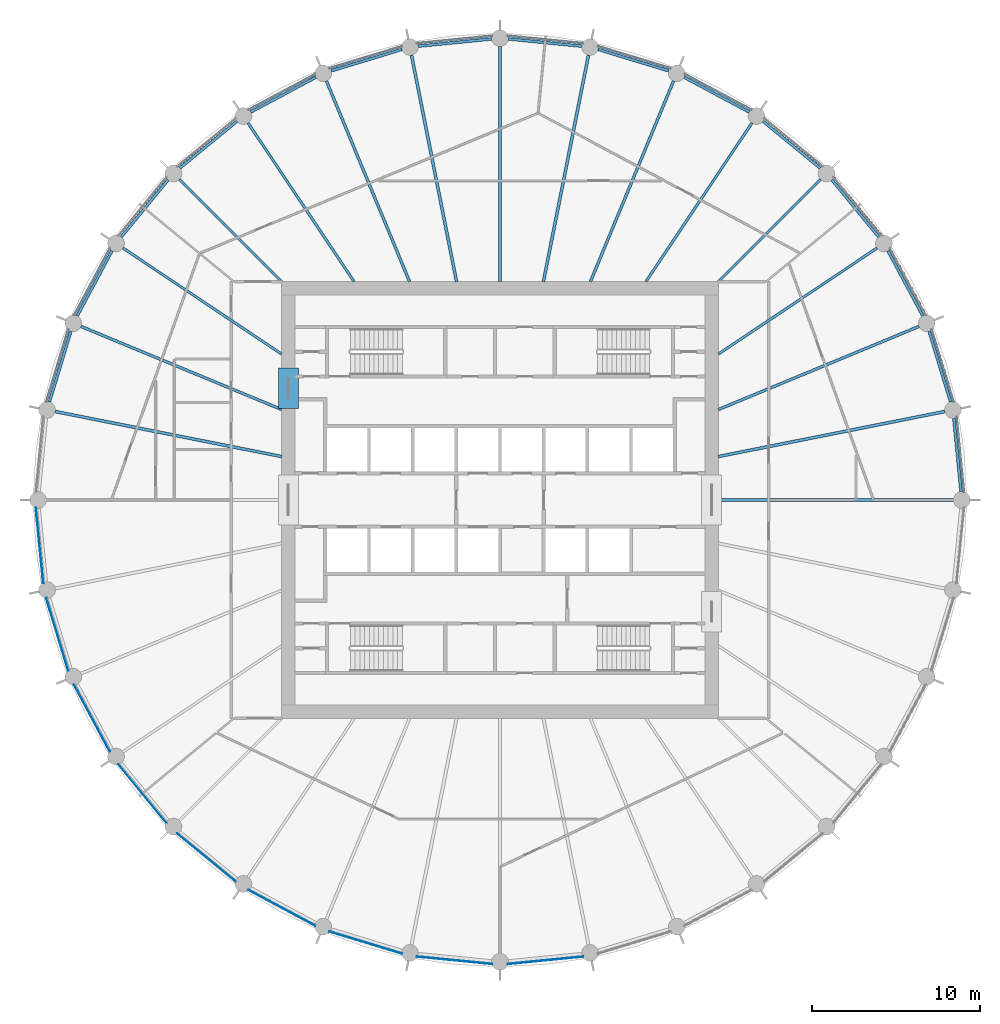
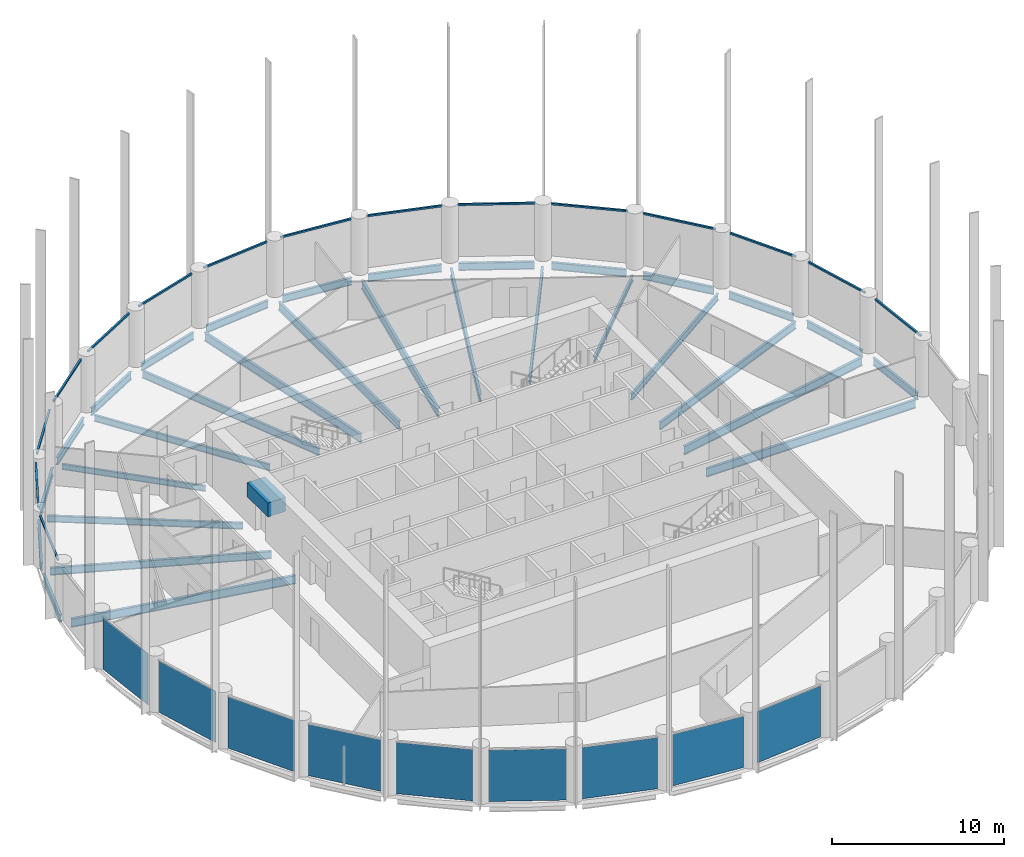
# One storey, part 2 of 8: 32 beams, 15 members, 9 plates, 24 elements without a shape of their own.
"""IFC4 building model written with IfcOpenShell, lengths in metres."""

from ifc_helpers import new_model, si_unit, direction, frame, origin, origin_2d, place, context, subcontext, project, spatial, rectangle, i_section, extrude, material, layer, layer_set, material_profile, profile_set, type_object, element, aggregate, save


model = new_model("IFC4")

# Units and contexts
model_context = context("Model", 3, precision=1e-05, world=origin(), true_north=direction((0.0, 1.0)))
body_context = subcontext(model_context, "Body", "Model", "MODEL_VIEW")
ifc_project = project(units=[si_unit("LENGTHUNIT", "METRE"), si_unit("AREAUNIT", "SQUARE_METRE"), si_unit("VOLUMEUNIT", "CUBIC_METRE"), si_unit("PLANEANGLEUNIT", "RADIAN"), si_unit("MASSUNIT", "GRAM", prefix="KILO")], contexts=[model_context])

# Site, building, storey
site_placement = place(None, origin())
site = spatial("IfcSite", under=ifc_project, at=site_placement, CompositionType="ELEMENT")
building_placement = place(site_placement, origin())
building = spatial("IfcBuilding", under=site, at=building_placement, Name="Corvane Civic Tower", CompositionType="ELEMENT")
storey_placement = place(building_placement, frame((0.0, 0.0, 233.5)))
storey = spatial("IfcBuildingStorey", under=building, at=storey_placement, Name="L55", CompositionType="ELEMENT", Elevation=233.5)

# Beams
ifc_material_1 = material(Name="Concrete C50/60", Category="concrete")
ifc_material_profile_1 = material_profile(ifc_material_1, rectangle(XDim=1.199951171875, YDim=1.0, at=origin_2d()), Name="COUPLING BEAM 1200X1000")
ifc_profile_set_1 = profile_set([ifc_material_profile_1], Name="Concrete C50/60")
beam_type_1 = type_object("IfcBeamType", Name="COUPLING BEAM COUPLING BEAM 1200X1000", PredefinedType="BEAM", material=ifc_profile_set_1)
beam_1_placement = place(storey_placement, frame((-12.60009765625, 5.449951171875, 2.60009765625), z_axis=(0.0, 1.0, 0.0), x_axis=(-1.0, 0.0, 0.0)))
element("IfcBeam", 1, at=beam_1_placement, inside=storey, type_object=beam_type_1, Name="BM-L55-cpl-CW-WN", PredefinedType="BEAM", context=body_context, shape_type="SweptSolid", body=[
    extrude(rectangle(XDim=1.199951171875, YDim=1.0, at=origin_2d()), origin(), (0.0, 0.0, 1.0), 2.400146484375),
])
ifc_material_2 = material(Name="Steel ASTM A992 Gr 50", Category="steel")
ifc_material_profile_2 = material_profile(ifc_material_2, i_section(OverallWidth=0.165771484375, OverallDepth=0.5283203125, WebThickness=0.009765625, FlangeThickness=0.013671875, at=origin_2d()), Name="W21X50")
ifc_profile_set_2 = profile_set([ifc_material_profile_2], Name="Steel ASTM A992 Gr 50")
beam_type_2 = type_object("IfcBeamType", Name="EDGE BEAM W21X50", PredefinedType="BEAM", material=ifc_profile_set_2)
beam_2_placement = place(storey_placement, frame((0.49755859375, 27.450927734375, -0.564208984375), z_axis=(0.995189593769, -0.097967711281, 0.0), x_axis=(0.097967711281, 0.995189593769, 0.0)))
element("IfcBeam", 2, at=beam_2_placement, inside=storey, type_object=beam_type_2, Name="BM-L55-E01", PredefinedType="BEAM", context=body_context, shape_type="SweptSolid", body=[
    extrude(i_section(OverallWidth=0.165771484375, OverallDepth=0.5283203125, WebThickness=0.009765625, FlangeThickness=0.013671875, at=origin_2d()), origin(), (0.0, 0.0, 1.0), 4.39111328125),
])
beam_3_placement = place(storey_placement, frame((5.843505859375, 26.826416015625, -0.564208984375), z_axis=(0.956949547653, -0.290254307888, 0.0), x_axis=(0.290254307888, 0.956949547653, 0.0)))
element("IfcBeam", 3, at=beam_3_placement, inside=storey, type_object=beam_type_2, Name="BM-L55-E02", PredefinedType="BEAM", context=body_context, shape_type="SweptSolid", body=[
    extrude(i_section(OverallWidth=0.165771484375, OverallDepth=0.5283203125, WebThickness=0.009765625, FlangeThickness=0.013671875, at=origin_2d()), origin(), (0.0, 0.0, 1.0), 4.390625),
])
for number, where, z_axis, x_axis, name in (
    (4, (10.964599609375, 25.171142578125, -0.564208984375), (0.881907756852, -0.471422006704, 0.0), (0.471422006704, 0.881907756852, 0.0), "BM-L55-E03"),
    (5, (15.66455078125, 22.54833984375, -0.564208984375), (0.773030026524, -0.634369433447, 0.0), (0.634369433447, 0.773030026524, 0.0), "BM-L55-E04"),
    (6, (19.7626953125, 19.05908203125, -0.564208984375), (0.634369433447, -0.773030026524, 0.0), (0.773030026524, 0.634369433447, 0.0), "BM-L55-E05"),
    (7, (23.10107421875, 14.837158203125, -0.564208984375), (0.471422006704, -0.881907756852, 0.0), (0.881907756852, 0.471422006704, 0.0), "BM-L55-E06"),
):
    element("IfcBeam", number, at=place(storey_placement, frame(where, z_axis=z_axis, x_axis=x_axis)), inside=storey, type_object=beam_type_2, Name=name, PredefinedType="BEAM", context=body_context, shape_type="SweptSolid", body=[
        extrude(i_section(OverallWidth=0.165771484375, OverallDepth=0.5283203125, WebThickness=0.009765625, FlangeThickness=0.013671875, at=origin_2d()), origin(), (0.0, 0.0, 1.0), 4.39111328125),
    ])
beam_4_placement = place(storey_placement, frame((25.552001953125, 10.045166015625, -0.564208984375), z_axis=(0.290254307888, -0.956949547653, 0.0), x_axis=(0.956949547653, 0.290254307888, 0.0)))
element("IfcBeam", 8, at=beam_4_placement, inside=storey, type_object=beam_type_2, Name="BM-L55-E07", PredefinedType="BEAM", context=body_context, shape_type="SweptSolid", body=[
    extrude(i_section(OverallWidth=0.165771484375, OverallDepth=0.5283203125, WebThickness=0.009765625, FlangeThickness=0.013671875, at=origin_2d()), origin(), (0.0, 0.0, 1.0), 4.390625),
])
beam_5_placement = place(storey_placement, frame((27.020751953125, 4.867431640625, -0.564208984375), z_axis=(0.097967711281, -0.995189593769, 0.0), x_axis=(0.995189593769, 0.097967711281, 0.0)))
element("IfcBeam", 9, at=beam_5_placement, inside=storey, type_object=beam_type_2, Name="BM-L55-E08", PredefinedType="BEAM", context=body_context, shape_type="SweptSolid", body=[
    extrude(i_section(OverallWidth=0.165771484375, OverallDepth=0.5283203125, WebThickness=0.009765625, FlangeThickness=0.013671875, at=origin_2d()), origin(), (0.0, 0.0, 1.0), 4.39111328125),
])
beam_6_placement = place(storey_placement, frame((-26.826416015625, 5.843505859375, -0.564208984375), z_axis=(0.290254307888, 0.956949547653, 0.0), x_axis=(-0.956949547653, 0.290254307888, 0.0)))
element("IfcBeam", 10, at=beam_6_placement, inside=storey, type_object=beam_type_2, Name="BM-L55-E26", PredefinedType="BEAM", context=body_context, shape_type="SweptSolid", body=[
    extrude(i_section(OverallWidth=0.165771484375, OverallDepth=0.5283203125, WebThickness=0.009765625, FlangeThickness=0.013671875, at=origin_2d()), origin(), (0.0, 0.0, 1.0), 4.390625),
])
for number, where, z_axis, x_axis, name in (
    (11, (-25.171142578125, 10.964599609375, -0.564208984375), (0.471422006704, 0.881907756852, 0.0), (-0.881907756852, 0.471422006704, 0.0), "BM-L55-E27"),
    (12, (-22.54833984375, 15.66455078125, -0.564208984375), (0.634369433447, 0.773030026524, 0.0), (-0.773030026524, 0.634369433447, 0.0), "BM-L55-E28"),
    (13, (-19.05908203125, 19.7626953125, -0.564208984375), (0.773030026524, 0.634369433447, 0.0), (-0.634369433447, 0.773030026524, 0.0), "BM-L55-E29"),
    (14, (-14.837158203125, 23.10107421875, -0.564208984375), (0.881907756852, 0.471422006704, 0.0), (-0.471422006704, 0.881907756852, 0.0), "BM-L55-E30"),
):
    element("IfcBeam", number, at=place(storey_placement, frame(where, z_axis=z_axis, x_axis=x_axis)), inside=storey, type_object=beam_type_2, Name=name, PredefinedType="BEAM", context=body_context, shape_type="SweptSolid", body=[
        extrude(i_section(OverallWidth=0.165771484375, OverallDepth=0.5283203125, WebThickness=0.009765625, FlangeThickness=0.013671875, at=origin_2d()), origin(), (0.0, 0.0, 1.0), 4.39111328125),
    ])
beam_7_placement = place(storey_placement, frame((-10.045166015625, 25.552001953125, -0.564208984375), z_axis=(0.956949547653, 0.290254307888, 0.0), x_axis=(-0.290254307888, 0.956949547653, 0.0)))
element("IfcBeam", 15, at=beam_7_placement, inside=storey, type_object=beam_type_2, Name="BM-L55-E31", PredefinedType="BEAM", context=body_context, shape_type="SweptSolid", body=[
    extrude(i_section(OverallWidth=0.165771484375, OverallDepth=0.5283203125, WebThickness=0.009765625, FlangeThickness=0.013671875, at=origin_2d()), origin(), (0.0, 0.0, 1.0), 4.390625),
])
beam_8_placement = place(storey_placement, frame((-4.867431640625, 27.020751953125, -0.564208984375), z_axis=(0.995189593769, 0.097967711281, 0.0), x_axis=(-0.097967711281, 0.995189593769, 0.0)))
element("IfcBeam", 16, at=beam_8_placement, inside=storey, type_object=beam_type_2, Name="BM-L55-E32", PredefinedType="BEAM", context=body_context, shape_type="SweptSolid", body=[
    extrude(i_section(OverallWidth=0.165771484375, OverallDepth=0.5283203125, WebThickness=0.009765625, FlangeThickness=0.013671875, at=origin_2d()), origin(), (0.0, 0.0, 1.0), 4.39111328125),
])
ifc_material_3 = material(Name="Steel ASTM A992 Gr 50", Category="steel")
ifc_material_profile_3 = material_profile(ifc_material_3, i_section(OverallWidth=0.140380859375, OverallDepth=0.40380859375, WebThickness=0.007080078125, FlangeThickness=0.01123046875, at=origin_2d()), Name="W16X31")
ifc_profile_set_3 = profile_set([ifc_material_profile_3], Name="Steel ASTM A992 Gr 50")
beam_type_3 = type_object("IfcBeamType", Name="FLOOR GIRDER W16X31", PredefinedType="BEAM", material=ifc_profile_set_3)
for number, where, z_axis, x_axis, name in (
    (17, (13.0, 13.0, -0.501953125), (0.707106781187, 0.707106781187, 0.0), (-0.707106781187, 0.707106781187, 0.0), "BM-L55-G05"),
    (18, (-13.0, 13.0, -0.501953125), (-0.707106781187, 0.707106781187, 0.0), (-0.707106781187, -0.707106781187, 0.0), "BM-L55-G29"),
):
    element("IfcBeam", number, at=place(storey_placement, frame(where, z_axis=z_axis, x_axis=x_axis)), inside=storey, type_object=beam_type_3, Name=name, PredefinedType="BEAM", context=body_context, shape_type="SweptSolid", body=[
        extrude(i_section(OverallWidth=0.140380859375, OverallDepth=0.40380859375, WebThickness=0.007080078125, FlangeThickness=0.01123046875, at=origin_2d()), origin(), (0.0, 0.0, 1.0), 8.614990234375),
    ])
ifc_material_4 = material(Name="Steel ASTM A992 Gr 50", Category="steel")
ifc_material_profile_4 = material_profile(ifc_material_4, i_section(OverallWidth=0.15283203125, OverallDepth=0.45458984375, WebThickness=0.008056640625, FlangeThickness=0.013427734375, at=origin_2d()), Name="W18X40")
ifc_profile_set_4 = profile_set([ifc_material_profile_4], Name="Steel ASTM A992 Gr 50")
beam_type_4 = type_object("IfcBeamType", Name="FLOOR GIRDER W18X40", PredefinedType="BEAM", material=ifc_profile_set_4)
for number, where, z_axis, x_axis, name in (
    (19, (8.686279296875, 13.0, -0.52734375), (0.555577326485, 0.831464872557, 0.0), (-0.831464872557, 0.555577326485, 0.0), "BM-L55-G04"),
    (20, (13.0, 8.686279296875, -0.52734375), (0.831464872557, 0.555577326485, 0.0), (-0.555577326485, 0.831464872557, 0.0), "BM-L55-G06"),
    (21, (-13.0, 8.686279296875, -0.52734375), (-0.831464872557, 0.555577326485, 0.0), (-0.555577326485, -0.831464872557, 0.0), "BM-L55-G28"),
    (22, (-8.686279296875, 13.0, -0.52734375), (-0.555577326485, 0.831464872557, 0.0), (-0.831464872557, -0.555577326485, 0.0), "BM-L55-G30"),
):
    element("IfcBeam", number, at=place(storey_placement, frame(where, z_axis=z_axis, x_axis=x_axis)), inside=storey, type_object=beam_type_4, Name=name, PredefinedType="BEAM", context=body_context, shape_type="SweptSolid", body=[
        extrude(i_section(OverallWidth=0.15283203125, OverallDepth=0.45458984375, WebThickness=0.008056640625, FlangeThickness=0.013427734375, at=origin_2d()), origin(), (0.0, 0.0, 1.0), 11.365234375),
    ])
ifc_material_5 = material(Name="Steel ASTM A992 Gr 50", Category="steel")
ifc_material_profile_5 = material_profile(ifc_material_5, i_section(OverallWidth=0.165771484375, OverallDepth=0.5283203125, WebThickness=0.009765625, FlangeThickness=0.013671875, at=origin_2d()), Name="W21X50")
ifc_profile_set_5 = profile_set([ifc_material_profile_5], Name="Steel ASTM A992 Gr 50")
beam_type_5 = type_object("IfcBeamType", Name="FLOOR GIRDER W21X50", PredefinedType="BEAM", material=ifc_profile_set_5)
for number, where, z_axis, x_axis, name in (
    (23, (5.384765625, 13.0, -0.564208984375), (0.382686450378, 0.923878282404, 0.0), (-0.923878282404, 0.382686450378, 0.0), "BM-L55-G03"),
    (24, (13.0, 5.384765625, -0.564208984375), (0.923878282404, 0.382686450378, 0.0), (-0.382686450378, 0.923878282404, 0.0), "BM-L55-G07"),
    (25, (-13.0, 5.384765625, -0.564208984375), (-0.923878282404, 0.382686450378, 0.0), (-0.382686450378, -0.923878282404, 0.0), "BM-L55-G27"),
    (26, (-5.384765625, 13.0, -0.564208984375), (-0.382686450378, 0.923878282404, 0.0), (-0.923878282404, -0.382686450378, 0.0), "BM-L55-G31"),
):
    element("IfcBeam", number, at=place(storey_placement, frame(where, z_axis=z_axis, x_axis=x_axis)), inside=storey, type_object=beam_type_5, Name=name, PredefinedType="BEAM", context=body_context, shape_type="SweptSolid", body=[
        extrude(i_section(OverallWidth=0.165771484375, OverallDepth=0.5283203125, WebThickness=0.009765625, FlangeThickness=0.013671875, at=origin_2d()), origin(), (0.0, 0.0, 1.0), 12.928955078125),
    ])
ifc_material_6 = material(Name="Steel ASTM A992 Gr 50", Category="steel")
ifc_material_profile_6 = material_profile(ifc_material_6, i_section(OverallWidth=0.177978515625, OverallDepth=0.599365234375, WebThickness=0.010009765625, FlangeThickness=0.012939453125, at=origin_2d()), Name="W24X55")
ifc_profile_set_6 = profile_set([ifc_material_profile_6], Name="Steel ASTM A992 Gr 50")
beam_type_6 = type_object("IfcBeamType", Name="FLOOR GIRDER W24X55", PredefinedType="BEAM", material=ifc_profile_set_6)
beam_9_placement = place(storey_placement, frame((0.0, 13.0, -0.599609375), z_axis=(0.0, 1.0, 0.0), x_axis=(-1.0, 0.0, 0.0)))
element("IfcBeam", 27, at=beam_9_placement, inside=storey, type_object=beam_type_6, Name="BM-L55-G01", PredefinedType="BEAM", context=body_context, shape_type="SweptSolid", body=[
    extrude(i_section(OverallWidth=0.177978515625, OverallDepth=0.599365234375, WebThickness=0.010009765625, FlangeThickness=0.012939453125, at=origin_2d()), origin(), (0.0, 0.0, 1.0), 14.0),
])
for number, where, z_axis, x_axis, name in (
    (28, (2.5859375, 13.0, -0.599609375), (0.195077644118, 0.980787802109, 0.0), (-0.980787802109, 0.195077644118, 0.0), "BM-L55-G02"),
    (29, (13.0, 2.5859375, -0.599609375), (0.980787802109, 0.195077644118, 0.0), (-0.195077644118, 0.980787802109, 0.0), "BM-L55-G08"),
):
    element("IfcBeam", number, at=place(storey_placement, frame(where, z_axis=z_axis, x_axis=x_axis)), inside=storey, type_object=beam_type_6, Name=name, PredefinedType="BEAM", context=body_context, shape_type="SweptSolid", body=[
        extrude(i_section(OverallWidth=0.177978515625, OverallDepth=0.599365234375, WebThickness=0.010009765625, FlangeThickness=0.012939453125, at=origin_2d()), origin(), (0.0, 0.0, 1.0), 13.745361328125),
    ])
beam_10_placement = place(storey_placement, frame((13.0, 0.0, -0.599609375), z_axis=(1.0, 0.0, 0.0), x_axis=(0.0, 1.0, 0.0)))
element("IfcBeam", 30, at=beam_10_placement, inside=storey, type_object=beam_type_6, Name="BM-L55-G09", PredefinedType="BEAM", context=body_context, shape_type="SweptSolid", body=[
    extrude(i_section(OverallWidth=0.177978515625, OverallDepth=0.599365234375, WebThickness=0.010009765625, FlangeThickness=0.012939453125, at=origin_2d()), origin(), (0.0, 0.0, 1.0), 14.0),
])
for number, where, z_axis, x_axis, name in (
    (31, (-13.0, 2.5859375, -0.599609375), (-0.980787802109, 0.195077644118, 0.0), (-0.195077644118, -0.980787802109, 0.0), "BM-L55-G26"),
    (32, (-2.5859375, 13.0, -0.599609375), (-0.195077644118, 0.980787802109, 0.0), (-0.980787802109, -0.195077644118, 0.0), "BM-L55-G32"),
):
    element("IfcBeam", number, at=place(storey_placement, frame(where, z_axis=z_axis, x_axis=x_axis)), inside=storey, type_object=beam_type_6, Name=name, PredefinedType="BEAM", context=body_context, shape_type="SweptSolid", body=[
        extrude(i_section(OverallWidth=0.177978515625, OverallDepth=0.599365234375, WebThickness=0.010009765625, FlangeThickness=0.012939453125, at=origin_2d()), origin(), (0.0, 0.0, 1.0), 13.745361328125),
    ])

# Curtain wall, member
ifc_material_7 = material(Name="Anodised aluminium bronze", Category="aluminium")
curtain_wall_type = type_object("IfcCurtainWallType", Name="TOWER CW-T2 STICK CURTAIN WALL", PredefinedType="NOTDEFINED", material=ifc_material_7)
curtain_wall_1_placement = place(storey_placement, origin())
curtain_wall_1 = element("IfcCurtainWall", 33, at=curtain_wall_1_placement, inside=storey, type_object=curtain_wall_type, Name="Curtain wall CW-T2 L55 bay 01", PredefinedType="NOTDEFINED")
ifc_material_8 = material(Name="Anodised aluminium bronze", Category="aluminium")
ifc_material_profile_7 = material_profile(ifc_material_8, rectangle(XDim=0.1201171875, YDim=0.1201171875, at=origin_2d()), Name="TOWER CW-T2 TRANSOM 120x120")
ifc_profile_set_7 = profile_set([ifc_material_profile_7], Name="Anodised aluminium bronze")
member_type = type_object("IfcMemberType", Name="TOWER CW-T2 TRANSOM 120x120", PredefinedType="USERDEFINED", material=ifc_profile_set_7)
member_1_placement = place(storey_placement, frame((0.452392578125, 27.635498046875, 3.68994140625), z_axis=(0.995182207386, -0.098042715701, 0.0), x_axis=(0.098042715701, 0.995182207386, 0.0)))
member_1 = element("IfcMember", 34, at=member_1_placement, type_object=member_type, Name="Transom CW-T2 L55 01.1", ObjectType="TRANSOM", PredefinedType="USERDEFINED", context=body_context, shape_type="SweptSolid", body=[
    extrude(rectangle(XDim=0.1201171875, YDim=0.1201171875, at=origin_2d()), origin(), (0.0, 0.0, 1.0), 4.51708984375),
])
aggregate(curtain_wall_1, [member_1])

curtain_wall_2_placement = place(storey_placement, origin())
curtain_wall_2 = element("IfcCurtainWall", 35, at=curtain_wall_2_placement, inside=storey, type_object=curtain_wall_type, Name="Curtain wall CW-T2 L55 bay 02", PredefinedType="NOTDEFINED")
member_2_placement = place(storey_placement, frame((5.8349609375, 27.016357421875, 3.68994140625), z_axis=(0.956941182173, -0.2902818869, 0.0), x_axis=(0.2902818869, 0.956941182173, 0.0)))
member_2 = element("IfcMember", 36, at=member_2_placement, type_object=member_type, Name="Transom CW-T2 L55 02.1", ObjectType="TRANSOM", PredefinedType="USERDEFINED", context=body_context, shape_type="SweptSolid", body=[
    extrude(rectangle(XDim=0.1201171875, YDim=0.1201171875, at=origin_2d()), origin(), (0.0, 0.0, 1.0), 4.517333984375),
])
aggregate(curtain_wall_2, [member_2])

curtain_wall_3_placement = place(storey_placement, origin())
curtain_wall_3 = element("IfcCurtainWall", 37, at=curtain_wall_3_placement, inside=storey, type_object=curtain_wall_type, Name="Curtain wall CW-T2 L55 bay 03", PredefinedType="NOTDEFINED")
member_3_placement = place(storey_placement, frame((10.993408203125, 25.35888671875, 3.68994140625), z_axis=(0.881924695689, -0.471390317183, 0.0), x_axis=(0.471390317183, 0.881924695689, 0.0)))
member_3 = element("IfcMember", 38, at=member_3_placement, type_object=member_type, Name="Transom CW-T2 L55 03.1", ObjectType="TRANSOM", PredefinedType="USERDEFINED", context=body_context, shape_type="SweptSolid", body=[
    extrude(rectangle(XDim=0.1201171875, YDim=0.1201171875, at=origin_2d()), origin(), (0.0, 0.0, 1.0), 4.517333984375),
])
aggregate(curtain_wall_3, [member_3])

curtain_wall_4_placement = place(storey_placement, origin())
curtain_wall_4 = element("IfcCurtainWall", 39, at=curtain_wall_4_placement, inside=storey, type_object=curtain_wall_type, Name="Curtain wall CW-T2 L55 bay 04", PredefinedType="NOTDEFINED")
member_4_placement = place(storey_placement, frame((15.7294921875, 22.726806640625, 3.68994140625), z_axis=(0.773014925698, -0.634387834569, 0.0), x_axis=(0.634387834569, 0.773014925698, 0.0)))
member_4 = element("IfcMember", 40, at=member_4_placement, type_object=member_type, Name="Transom CW-T2 L55 04.1", ObjectType="TRANSOM", PredefinedType="USERDEFINED", context=body_context, shape_type="SweptSolid", body=[
    extrude(rectangle(XDim=0.1201171875, YDim=0.1201171875, at=origin_2d()), origin(), (0.0, 0.0, 1.0), 4.517333984375),
])
aggregate(curtain_wall_4, [member_4])

curtain_wall_5_placement = place(storey_placement, origin())
curtain_wall_5 = element("IfcCurtainWall", 41, at=curtain_wall_5_placement, inside=storey, type_object=curtain_wall_type, Name="Curtain wall CW-T2 L55 bay 05", PredefinedType="NOTDEFINED")
member_5_placement = place(storey_placement, frame((19.861083984375, 19.221435546875, 3.68994140625), z_axis=(0.634387834569, -0.773014925698, 0.0), x_axis=(0.773014925698, 0.634387834569, 0.0)))
member_5 = element("IfcMember", 42, at=member_5_placement, type_object=member_type, Name="Transom CW-T2 L55 05.1", ObjectType="TRANSOM", PredefinedType="USERDEFINED", context=body_context, shape_type="SweptSolid", body=[
    extrude(rectangle(XDim=0.1201171875, YDim=0.1201171875, at=origin_2d()), origin(), (0.0, 0.0, 1.0), 4.517333984375),
])
aggregate(curtain_wall_5, [member_5])

curtain_wall_6_placement = place(storey_placement, origin())
curtain_wall_6 = element("IfcCurtainWall", 43, at=curtain_wall_6_placement, inside=storey, type_object=curtain_wall_type, Name="Curtain wall CW-T2 L55 bay 06", PredefinedType="NOTDEFINED")
member_6_placement = place(storey_placement, frame((23.2294921875, 14.977294921875, 3.68994140625), z_axis=(0.471390317183, -0.881924695689, 0.0), x_axis=(0.881924695689, 0.471390317183, 0.0)))
member_6 = element("IfcMember", 44, at=member_6_placement, type_object=member_type, Name="Transom CW-T2 L55 06.1", ObjectType="TRANSOM", PredefinedType="USERDEFINED", context=body_context, shape_type="SweptSolid", body=[
    extrude(rectangle(XDim=0.1201171875, YDim=0.1201171875, at=origin_2d()), origin(), (0.0, 0.0, 1.0), 4.517333984375),
])
aggregate(curtain_wall_6, [member_6])

curtain_wall_7_placement = place(storey_placement, origin())
curtain_wall_7 = element("IfcCurtainWall", 45, at=curtain_wall_7_placement, inside=storey, type_object=curtain_wall_type, Name="Curtain wall CW-T2 L55 bay 07", PredefinedType="NOTDEFINED")
member_7_placement = place(storey_placement, frame((25.705078125, 10.15771484375, 3.68994140625), z_axis=(0.2902818869, -0.956941182173, 0.0), x_axis=(0.956941182173, 0.2902818869, 0.0)))
member_7 = element("IfcMember", 46, at=member_7_placement, type_object=member_type, Name="Transom CW-T2 L55 07.1", ObjectType="TRANSOM", PredefinedType="USERDEFINED", context=body_context, shape_type="SweptSolid", body=[
    extrude(rectangle(XDim=0.1201171875, YDim=0.1201171875, at=origin_2d()), origin(), (0.0, 0.0, 1.0), 4.517333984375),
])
aggregate(curtain_wall_7, [member_7])

curtain_wall_8_placement = place(storey_placement, origin())
curtain_wall_8 = element("IfcCurtainWall", 47, at=curtain_wall_8_placement, inside=storey, type_object=curtain_wall_type, Name="Curtain wall CW-T2 L55 bay 08", PredefinedType="NOTDEFINED")
member_8_placement = place(storey_placement, frame((27.192626953125, 4.94775390625, 3.68994140625), z_axis=(0.098042715701, -0.995182207386, 0.0), x_axis=(0.995182207386, 0.098042715701, 0.0)))
member_8 = element("IfcMember", 48, at=member_8_placement, type_object=member_type, Name="Transom CW-T2 L55 08.1", ObjectType="TRANSOM", PredefinedType="USERDEFINED", context=body_context, shape_type="SweptSolid", body=[
    extrude(rectangle(XDim=0.1201171875, YDim=0.1201171875, at=origin_2d()), origin(), (0.0, 0.0, 1.0), 4.51708984375),
])
aggregate(curtain_wall_8, [member_8])

curtain_wall_9_placement = place(storey_placement, origin())
curtain_wall_9 = element("IfcCurtainWall", 49, at=curtain_wall_9_placement, inside=storey, type_object=curtain_wall_type, Name="Curtain wall CW-T2 L55 bay 26", PredefinedType="NOTDEFINED")
member_9_placement = place(storey_placement, frame((-27.016357421875, 5.8349609375, 3.68994140625), z_axis=(0.2902818869, 0.956941182173, 0.0), x_axis=(-0.956941182173, 0.2902818869, 0.0)))
member_9 = element("IfcMember", 50, at=member_9_placement, type_object=member_type, Name="Transom CW-T2 L55 26.1", ObjectType="TRANSOM", PredefinedType="USERDEFINED", context=body_context, shape_type="SweptSolid", body=[
    extrude(rectangle(XDim=0.1201171875, YDim=0.1201171875, at=origin_2d()), origin(), (0.0, 0.0, 1.0), 4.517333984375),
])
aggregate(curtain_wall_9, [member_9])

curtain_wall_10_placement = place(storey_placement, origin())
curtain_wall_10 = element("IfcCurtainWall", 51, at=curtain_wall_10_placement, inside=storey, type_object=curtain_wall_type, Name="Curtain wall CW-T2 L55 bay 27", PredefinedType="NOTDEFINED")
member_10_placement = place(storey_placement, frame((-25.35888671875, 10.993408203125, 3.68994140625), z_axis=(0.471390317183, 0.881924695689, 0.0), x_axis=(-0.881924695689, 0.471390317183, 0.0)))
member_10 = element("IfcMember", 52, at=member_10_placement, type_object=member_type, Name="Transom CW-T2 L55 27.1", ObjectType="TRANSOM", PredefinedType="USERDEFINED", context=body_context, shape_type="SweptSolid", body=[
    extrude(rectangle(XDim=0.1201171875, YDim=0.1201171875, at=origin_2d()), origin(), (0.0, 0.0, 1.0), 4.517333984375),
])
aggregate(curtain_wall_10, [member_10])

curtain_wall_11_placement = place(storey_placement, origin())
curtain_wall_11 = element("IfcCurtainWall", 53, at=curtain_wall_11_placement, inside=storey, type_object=curtain_wall_type, Name="Curtain wall CW-T2 L55 bay 28", PredefinedType="NOTDEFINED")
member_11_placement = place(storey_placement, frame((-22.726806640625, 15.7294921875, 3.68994140625), z_axis=(0.634387834569, 0.773014925698, 0.0), x_axis=(-0.773014925698, 0.634387834569, 0.0)))
member_11 = element("IfcMember", 54, at=member_11_placement, type_object=member_type, Name="Transom CW-T2 L55 28.1", ObjectType="TRANSOM", PredefinedType="USERDEFINED", context=body_context, shape_type="SweptSolid", body=[
    extrude(rectangle(XDim=0.1201171875, YDim=0.1201171875, at=origin_2d()), origin(), (0.0, 0.0, 1.0), 4.517333984375),
])
aggregate(curtain_wall_11, [member_11])

curtain_wall_12_placement = place(storey_placement, origin())
curtain_wall_12 = element("IfcCurtainWall", 55, at=curtain_wall_12_placement, inside=storey, type_object=curtain_wall_type, Name="Curtain wall CW-T2 L55 bay 29", PredefinedType="NOTDEFINED")
member_12_placement = place(storey_placement, frame((-19.221435546875, 19.861083984375, 3.68994140625), z_axis=(0.773014925698, 0.634387834569, 0.0), x_axis=(-0.634387834569, 0.773014925698, 0.0)))
member_12 = element("IfcMember", 56, at=member_12_placement, type_object=member_type, Name="Transom CW-T2 L55 29.1", ObjectType="TRANSOM", PredefinedType="USERDEFINED", context=body_context, shape_type="SweptSolid", body=[
    extrude(rectangle(XDim=0.1201171875, YDim=0.1201171875, at=origin_2d()), origin(), (0.0, 0.0, 1.0), 4.517333984375),
])
aggregate(curtain_wall_12, [member_12])

curtain_wall_13_placement = place(storey_placement, origin())
curtain_wall_13 = element("IfcCurtainWall", 57, at=curtain_wall_13_placement, inside=storey, type_object=curtain_wall_type, Name="Curtain wall CW-T2 L55 bay 30", PredefinedType="NOTDEFINED")
member_13_placement = place(storey_placement, frame((-14.977294921875, 23.2294921875, 3.68994140625), z_axis=(0.881924695689, 0.471390317183, 0.0), x_axis=(-0.471390317183, 0.881924695689, 0.0)))
member_13 = element("IfcMember", 58, at=member_13_placement, type_object=member_type, Name="Transom CW-T2 L55 30.1", ObjectType="TRANSOM", PredefinedType="USERDEFINED", context=body_context, shape_type="SweptSolid", body=[
    extrude(rectangle(XDim=0.1201171875, YDim=0.1201171875, at=origin_2d()), origin(), (0.0, 0.0, 1.0), 4.517333984375),
])
aggregate(curtain_wall_13, [member_13])

curtain_wall_14_placement = place(storey_placement, origin())
curtain_wall_14 = element("IfcCurtainWall", 59, at=curtain_wall_14_placement, inside=storey, type_object=curtain_wall_type, Name="Curtain wall CW-T2 L55 bay 31", PredefinedType="NOTDEFINED")
member_14_placement = place(storey_placement, frame((-10.15771484375, 25.705078125, 3.68994140625), z_axis=(0.956941182173, 0.2902818869, 0.0), x_axis=(-0.2902818869, 0.956941182173, 0.0)))
member_14 = element("IfcMember", 60, at=member_14_placement, type_object=member_type, Name="Transom CW-T2 L55 31.1", ObjectType="TRANSOM", PredefinedType="USERDEFINED", context=body_context, shape_type="SweptSolid", body=[
    extrude(rectangle(XDim=0.1201171875, YDim=0.1201171875, at=origin_2d()), origin(), (0.0, 0.0, 1.0), 4.517333984375),
])
aggregate(curtain_wall_14, [member_14])

curtain_wall_15_placement = place(storey_placement, origin())
curtain_wall_15 = element("IfcCurtainWall", 61, at=curtain_wall_15_placement, inside=storey, type_object=curtain_wall_type, Name="Curtain wall CW-T2 L55 bay 32", PredefinedType="NOTDEFINED")
member_15_placement = place(storey_placement, frame((-4.94775390625, 27.192626953125, 3.68994140625), z_axis=(0.995182207386, 0.098042715701, 0.0), x_axis=(-0.098042715701, 0.995182207386, 0.0)))
member_15 = element("IfcMember", 62, at=member_15_placement, type_object=member_type, Name="Transom CW-T2 L55 32.1", ObjectType="TRANSOM", PredefinedType="USERDEFINED", context=body_context, shape_type="SweptSolid", body=[
    extrude(rectangle(XDim=0.1201171875, YDim=0.1201171875, at=origin_2d()), origin(), (0.0, 0.0, 1.0), 4.51708984375),
])
aggregate(curtain_wall_15, [member_15])

# Curtain wall, plate
curtain_wall_16_placement = place(storey_placement, origin())
curtain_wall_16 = element("IfcCurtainWall", 63, at=curtain_wall_16_placement, inside=storey, type_object=curtain_wall_type, Name="Curtain wall CW-T2 L55 bay 16", PredefinedType="NOTDEFINED")
ifc_material_9 = material(Name="Tinted glass", Category="glass")
ifc_layer = layer(ifc_material_9, 0.031982421875)
ifc_layer_set = layer_set([ifc_layer], Name="Tinted glass")
plate_type = type_object("IfcPlateType", Name="TOWER CW-T2 PANEL IGU32", PredefinedType="CURTAIN_PANEL", material=ifc_layer_set)
plate_1_placement = place(storey_placement, frame((2.699951171875, -27.4140625, 0.0), z_axis=(0.0, 0.0, 1.0), x_axis=(-0.995187058378, -0.097993463235, 0.0)))
plate_1 = element("IfcPlate", 64, at=plate_1_placement, type_object=plate_type, Name="Glass panel CW-T2 L55 16.1", PredefinedType="CURTAIN_PANEL", context=body_context, shape_type="SweptSolid", body=[
    extrude(rectangle(XDim=4.517333984375, YDim=0.031982421875, at=origin_2d()), origin(), (0.0, 0.0, 1.0), 3.6298828125),
])
aggregate(curtain_wall_16, [plate_1])

curtain_wall_17_placement = place(storey_placement, origin())
curtain_wall_17 = element("IfcCurtainWall", 65, at=curtain_wall_17_placement, inside=storey, type_object=curtain_wall_type, Name="Curtain wall CW-T2 L55 bay 17", PredefinedType="NOTDEFINED")
plate_2_placement = place(storey_placement, frame((-2.699951171875, -27.4140625, 0.0), z_axis=(0.0, 0.0, 1.0), x_axis=(-0.995187058378, 0.097993463235, 0.0)))
plate_2 = element("IfcPlate", 66, at=plate_2_placement, type_object=plate_type, Name="Glass panel CW-T2 L55 17.1", PredefinedType="CURTAIN_PANEL", context=body_context, shape_type="SweptSolid", body=[
    extrude(rectangle(XDim=4.517333984375, YDim=0.031982421875, at=origin_2d()), origin(), (0.0, 0.0, 1.0), 3.6298828125),
])
aggregate(curtain_wall_17, [plate_2])

curtain_wall_18_placement = place(storey_placement, origin())
curtain_wall_18 = element("IfcCurtainWall", 67, at=curtain_wall_18_placement, inside=storey, type_object=curtain_wall_type, Name="Curtain wall CW-T2 L55 bay 18", PredefinedType="NOTDEFINED")
plate_3_placement = place(storey_placement, frame((-7.996337890625, -26.360595703125, 0.0), z_axis=(0.0, 0.0, 1.0), x_axis=(-0.956938843612, 0.290289596069, 0.0)))
plate_3 = element("IfcPlate", 68, at=plate_3_placement, type_object=plate_type, Name="Glass panel CW-T2 L55 18.1", PredefinedType="CURTAIN_PANEL", context=body_context, shape_type="SweptSolid", body=[
    extrude(rectangle(XDim=4.517333984375, YDim=0.031982421875, at=origin_2d()), origin(), (0.0, 0.0, 1.0), 3.6298828125),
])
aggregate(curtain_wall_18, [plate_3])

curtain_wall_19_placement = place(storey_placement, origin())
curtain_wall_19 = element("IfcCurtainWall", 69, at=curtain_wall_19_placement, inside=storey, type_object=curtain_wall_type, Name="Curtain wall CW-T2 L55 bay 19", PredefinedType="NOTDEFINED")
plate_4_placement = place(storey_placement, frame((-12.9853515625, -24.294189453125, 0.0), z_axis=(0.0, 0.0, 1.0), x_axis=(-0.881920381001, 0.471398389449, 0.0)))
plate_4 = element("IfcPlate", 70, at=plate_4_placement, type_object=plate_type, Name="Glass panel CW-T2 L55 19.1", PredefinedType="CURTAIN_PANEL", context=body_context, shape_type="SweptSolid", body=[
    extrude(rectangle(XDim=4.517333984375, YDim=0.031982421875, at=origin_2d()), origin(), (0.0, 0.0, 1.0), 3.6298828125),
])
aggregate(curtain_wall_19, [plate_4])

curtain_wall_20_placement = place(storey_placement, origin())
curtain_wall_20 = element("IfcCurtainWall", 71, at=curtain_wall_20_placement, inside=storey, type_object=curtain_wall_type, Name="Curtain wall CW-T2 L55 bay 20", PredefinedType="NOTDEFINED")
plate_5_placement = place(storey_placement, frame((-17.475341796875, -21.2939453125, 0.0), z_axis=(0.0, 0.0, 1.0), x_axis=(-0.773012269331, 0.634391071394, 0.0)))
plate_5 = element("IfcPlate", 72, at=plate_5_placement, type_object=plate_type, Name="Glass panel CW-T2 L55 20.1", PredefinedType="CURTAIN_PANEL", context=body_context, shape_type="SweptSolid", body=[
    extrude(rectangle(XDim=4.517333984375, YDim=0.031982421875, at=origin_2d()), origin(), (0.0, 0.0, 1.0), 3.6298828125),
])
aggregate(curtain_wall_20, [plate_5])

curtain_wall_21_placement = place(storey_placement, origin())
curtain_wall_21 = element("IfcCurtainWall", 73, at=curtain_wall_21_placement, inside=storey, type_object=curtain_wall_type, Name="Curtain wall CW-T2 L55 bay 21", PredefinedType="NOTDEFINED")
plate_6_placement = place(storey_placement, frame((-21.2939453125, -17.475341796875, 0.0), z_axis=(0.0, 0.0, 1.0), x_axis=(-0.634391071394, 0.773012269331, 0.0)))
plate_6 = element("IfcPlate", 74, at=plate_6_placement, type_object=plate_type, Name="Glass panel CW-T2 L55 21.1", PredefinedType="CURTAIN_PANEL", context=body_context, shape_type="SweptSolid", body=[
    extrude(rectangle(XDim=4.517333984375, YDim=0.031982421875, at=origin_2d()), origin(), (0.0, 0.0, 1.0), 3.6298828125),
])
aggregate(curtain_wall_21, [plate_6])

curtain_wall_22_placement = place(storey_placement, origin())
curtain_wall_22 = element("IfcCurtainWall", 75, at=curtain_wall_22_placement, inside=storey, type_object=curtain_wall_type, Name="Curtain wall CW-T2 L55 bay 22", PredefinedType="NOTDEFINED")
plate_7_placement = place(storey_placement, frame((-24.294189453125, -12.9853515625, 0.0), z_axis=(0.0, 0.0, 1.0), x_axis=(-0.471398389449, 0.881920381001, 0.0)))
plate_7 = element("IfcPlate", 76, at=plate_7_placement, type_object=plate_type, Name="Glass panel CW-T2 L55 22.1", PredefinedType="CURTAIN_PANEL", context=body_context, shape_type="SweptSolid", body=[
    extrude(rectangle(XDim=4.517333984375, YDim=0.031982421875, at=origin_2d()), origin(), (0.0, 0.0, 1.0), 3.6298828125),
])
aggregate(curtain_wall_22, [plate_7])

curtain_wall_23_placement = place(storey_placement, origin())
curtain_wall_23 = element("IfcCurtainWall", 77, at=curtain_wall_23_placement, inside=storey, type_object=curtain_wall_type, Name="Curtain wall CW-T2 L55 bay 23", PredefinedType="NOTDEFINED")
plate_8_placement = place(storey_placement, frame((-26.360595703125, -7.996337890625, 0.0), z_axis=(0.0, 0.0, 1.0), x_axis=(-0.290289596069, 0.956938843612, 0.0)))
plate_8 = element("IfcPlate", 78, at=plate_8_placement, type_object=plate_type, Name="Glass panel CW-T2 L55 23.1", PredefinedType="CURTAIN_PANEL", context=body_context, shape_type="SweptSolid", body=[
    extrude(rectangle(XDim=4.517333984375, YDim=0.031982421875, at=origin_2d()), origin(), (0.0, 0.0, 1.0), 3.6298828125),
])
aggregate(curtain_wall_23, [plate_8])

curtain_wall_24_placement = place(storey_placement, origin())
curtain_wall_24 = element("IfcCurtainWall", 79, at=curtain_wall_24_placement, inside=storey, type_object=curtain_wall_type, Name="Curtain wall CW-T2 L55 bay 24", PredefinedType="NOTDEFINED")
plate_9_placement = place(storey_placement, frame((-27.4140625, -2.699951171875, 0.0), z_axis=(0.0, 0.0, 1.0), x_axis=(-0.097993463235, 0.995187058378, 0.0)))
plate_9 = element("IfcPlate", 80, at=plate_9_placement, type_object=plate_type, Name="Glass panel CW-T2 L55 24.1", PredefinedType="CURTAIN_PANEL", context=body_context, shape_type="SweptSolid", body=[
    extrude(rectangle(XDim=4.517333984375, YDim=0.031982421875, at=origin_2d()), origin(), (0.0, 0.0, 1.0), 3.6298828125),
])
aggregate(curtain_wall_24, [plate_9])

save(model, "model.ifc")
